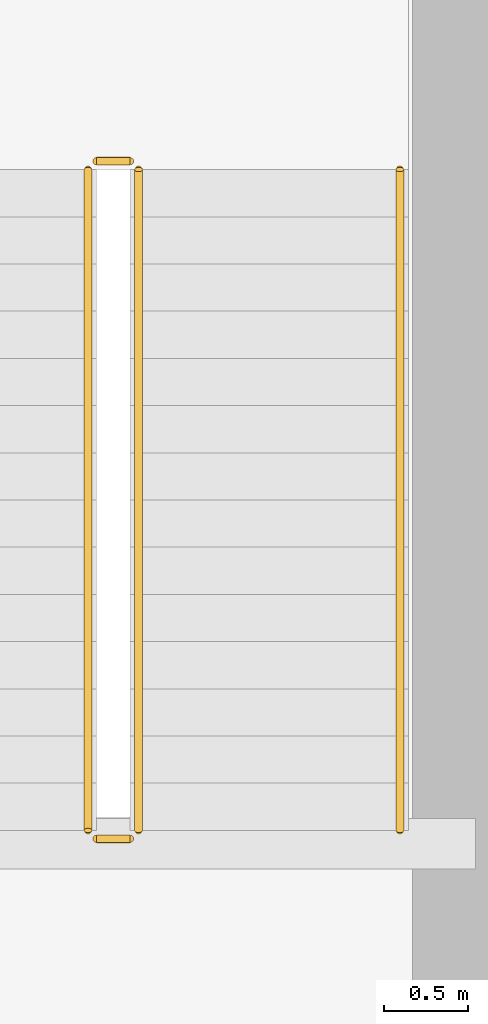
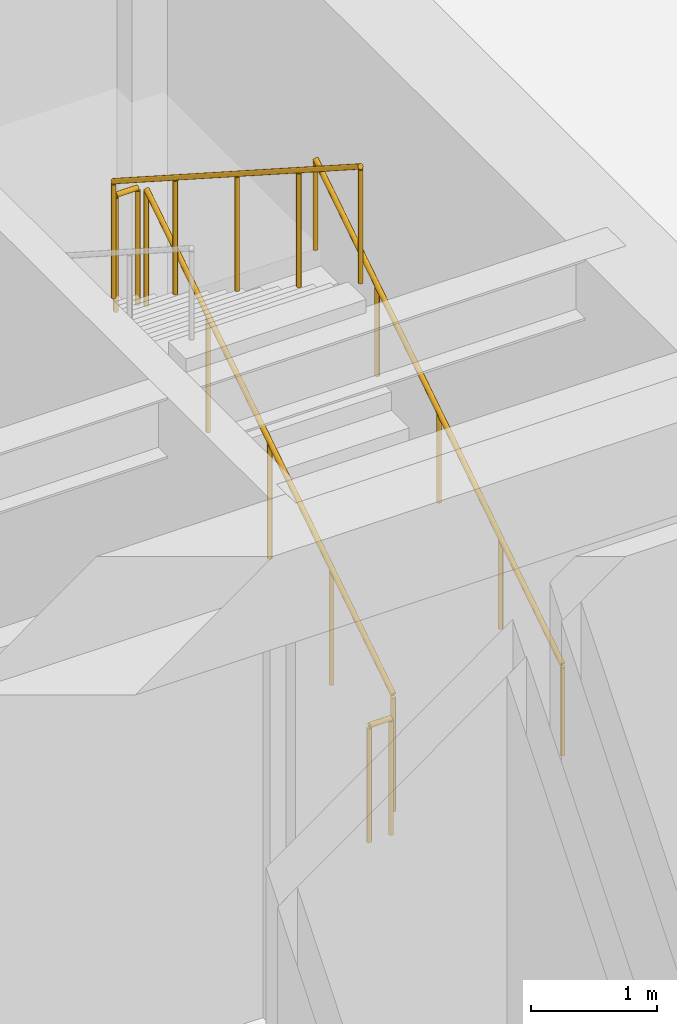
# One storey, part 38 of 38: 5 railings.
"""IFC4 building model written with IfcOpenShell, lengths in metres."""

from ifc_helpers import new_model, si_unit, direction, frame, origin, origin_2d, place, context, subcontext, project, spatial, circle, extrude, source, transform, mapped, material, type_object, type_shapes, element, save


model = new_model("IFC4")

# Units and contexts
model_context = context("Model", 3, precision=1e-05, world=origin(), true_north=direction((0.0, 1.0)))
body_context = subcontext(model_context, "Body", "Model", "MODEL_VIEW")
ifc_project = project(units=[si_unit("LENGTHUNIT", "METRE"), si_unit("AREAUNIT", "SQUARE_METRE"), si_unit("VOLUMEUNIT", "CUBIC_METRE"), si_unit("PLANEANGLEUNIT", "RADIAN"), si_unit("MASSUNIT", "GRAM", prefix="KILO")], contexts=[model_context])

# Site, building, storey
site_placement = place(None, origin())
site = spatial("IfcSite", under=ifc_project, at=site_placement, CompositionType="ELEMENT")
building_placement = place(site_placement, origin())
building = spatial("IfcBuilding", under=site, at=building_placement, Name="Haelvirn Gate Laboratories", CompositionType="ELEMENT")
storey_placement = place(building_placement, frame((0.0, 0.0, 94.89990234375)))
storey = spatial("IfcBuildingStorey", under=building, at=storey_placement, Name="L23", CompositionType="ELEMENT", Elevation=94.89990234375)

# Railings
ifc_material_1 = material(Name="Galvanised steel SM355 & stainless top rail", Category="steel")
railing_type_1 = type_object("IfcRailingType", Name="RL-GUARD-1150", PredefinedType="GUARDRAIL", material=ifc_material_1)
shared_shape_1 = source(origin(), body_context, "Body", "SweptSolid", [
    extrude(circle(Radius=0.02392578125, at=origin_2d()), frame((0.0, 0.0, 1.1259765625), z_axis=(0.0, 0.841186985886, 0.540744352514), x_axis=(-1.0, 0.0, 0.0)), (0.0, 0.0, 1.0), 4.660400390625),
    extrude(circle(Radius=0.02099609375, at=origin_2d()), origin(), (0.0, 0.0, 1.0), 1.101806640625),
    extrude(circle(Radius=0.02099609375, at=origin_2d()), frame((0.0, 0.97998046875, 0.6298828125)), (0.0, 0.0, 1.0), 1.101806640625),
    extrude(circle(Radius=0.02099609375, at=origin_2d()), frame((0.0, 1.9599609375, 1.260009765625)), (0.0, 0.0, 1.0), 1.101806640625),
    extrude(circle(Radius=0.02099609375, at=origin_2d()), frame((0.0, 2.940185546875, 1.89013671875)), (0.0, 0.0, 1.0), 1.101806640625),
    extrude(circle(Radius=0.02099609375, at=origin_2d()), frame((0.0, 3.920166015625, 2.52001953125)), (0.0, 0.0, 1.0), 1.101806640625),
])
railing_1_placement = place(storey_placement, frame((65.39990234375, 26.699951171875, 0.18017578125)))
element("IfcRailing", 1, at=railing_1_placement, inside=storey, type_object=railing_type_1, Name="L23 ST2 stair guard 1", PredefinedType="GUARDRAIL", context=body_context, shape_type="MappedRepresentation", body=[
    mapped(shared_shape_1, transform((0.0, 0.0, 0.0), scale=1.0)),
])
shared_shape_2 = source(origin(), body_context, "Body", "SweptSolid", [
    extrude(circle(Radius=0.02392578125, at=origin_2d()), frame((0.0, 0.0, 1.1259765625), z_axis=(0.0, -0.841186985886, 0.540744352514), x_axis=(1.0, 0.0, 0.0)), (0.0, 0.0, 1.0), 4.660400390625),
    extrude(circle(Radius=0.02099609375, at=origin_2d()), origin(), (0.0, 0.0, 1.0), 1.101806640625),
    extrude(circle(Radius=0.02099609375, at=origin_2d()), frame((0.0, -0.97998046875, 0.6298828125)), (0.0, 0.0, 1.0), 1.101806640625),
    extrude(circle(Radius=0.02099609375, at=origin_2d()), frame((0.0, -1.9599609375, 1.260009765625)), (0.0, 0.0, 1.0), 1.101806640625),
    extrude(circle(Radius=0.02099609375, at=origin_2d()), frame((0.0, -2.940185546875, 1.89013671875)), (0.0, 0.0, 1.0), 1.101806640625),
    extrude(circle(Radius=0.02099609375, at=origin_2d()), frame((0.0, -3.920166015625, 2.52001953125)), (0.0, 0.0, 1.0), 1.101806640625),
])
railing_2_placement = place(storey_placement, frame((65.10009765625, 30.6201171875, 2.880126953125)))
element("IfcRailing", 2, at=railing_2_placement, inside=storey, type_object=railing_type_1, Name="L23 ST2 stair guard 3", PredefinedType="GUARDRAIL", context=body_context, shape_type="MappedRepresentation", body=[
    mapped(shared_shape_2, transform((0.0, 0.0, 0.0), scale=1.0)),
])
ifc_material_2 = material(Name="Brushed stainless steel 316L", Category="steel")
railing_type_2 = type_object("IfcRailingType", Name="RL-HAND-920", PredefinedType="HANDRAIL", material=ifc_material_2)
shared_shape_3 = source(origin(), body_context, "Body", "SweptSolid", [
    extrude(circle(Radius=0.02392578125, at=origin_2d()), frame((0.0, 0.0, 0.8759765625), z_axis=(0.0, 0.841186985886, 0.540744352514), x_axis=(-1.0, 0.0, 0.0)), (0.0, 0.0, 1.0), 4.660400390625),
    extrude(circle(Radius=0.02099609375, at=origin_2d()), origin(), (0.0, 0.0, 1.0), 0.851806640625),
    extrude(circle(Radius=0.02099609375, at=origin_2d()), frame((0.0, 0.97998046875, 0.6298828125)), (0.0, 0.0, 1.0), 0.851806640625),
    extrude(circle(Radius=0.02099609375, at=origin_2d()), frame((0.0, 1.9599609375, 1.260009765625)), (0.0, 0.0, 1.0), 0.851806640625),
    extrude(circle(Radius=0.02099609375, at=origin_2d()), frame((0.0, 2.940185546875, 1.89013671875)), (0.0, 0.0, 1.0), 0.851806640625),
    extrude(circle(Radius=0.02099609375, at=origin_2d()), frame((0.0, 3.920166015625, 2.52001953125)), (0.0, 0.0, 1.0), 0.851806640625),
])
type_shapes(railing_type_2, [shared_shape_3])
railing_3_placement = place(storey_placement, frame((66.949951171875, 26.699951171875, 0.18017578125)))
element("IfcRailing", 3, at=railing_3_placement, inside=storey, type_object=railing_type_2, Name="L23 ST2 stair handrail 1", PredefinedType="HANDRAIL", context=body_context, shape_type="MappedRepresentation", body=[
    mapped(shared_shape_3, transform((0.0, 0.0, 0.0), scale=1.0)),
])
shared_shape_4 = source(origin(), body_context, "Body", "SweptSolid", [
    extrude(circle(Radius=0.02392578125, at=origin_2d()), frame((0.0, 0.0, 1.1259765625), z_axis=(-1.0, 0.0, 0.0), x_axis=(0.0, -1.0, 0.0)), (0.0, 0.0, 1.0), 0.2001953125),
    extrude(circle(Radius=0.02099609375, at=origin_2d()), origin(), (0.0, 0.0, 1.0), 1.101806640625),
    extrude(circle(Radius=0.02099609375, at=origin_2d()), frame((-0.2001953125, 0.0, 0.0)), (0.0, 0.0, 1.0), 1.101806640625),
])
type_shapes(railing_type_1, [shared_shape_1, shared_shape_2, shared_shape_4])
for number, where, name in (
    (4, (65.35009765625, 30.669921875, 2.7001953125), "L23 ST2 stair guard 2"),
    (5, (65.35009765625, 26.64990234375, 0.0), "L23 ST2 stair guard 4"),
):
    element("IfcRailing", number, at=place(storey_placement, frame(where)), inside=storey, type_object=railing_type_1, Name=name, PredefinedType="GUARDRAIL", context=body_context, shape_type="MappedRepresentation", body=[
        mapped(shared_shape_4, transform((0.0, 0.0, 0.0), scale=1.0)),
    ])

save(model, "model.ifc")
